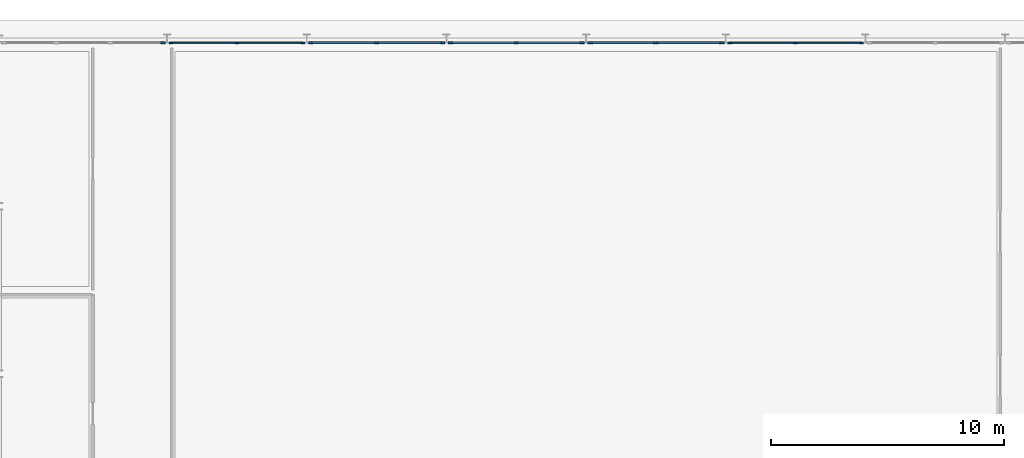
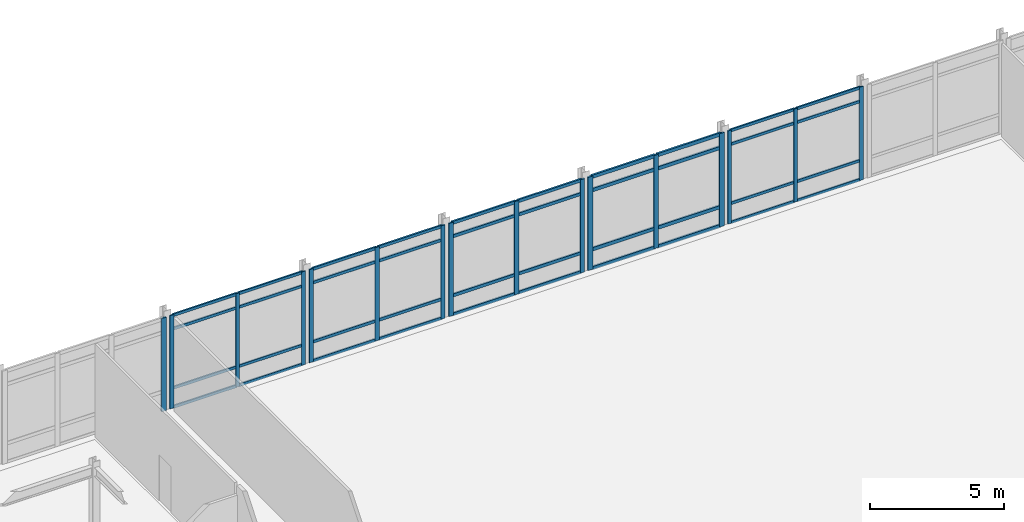
# One storey, part 20 of 58: 56 members, 6 elements without a shape of their own.
"""IFC4 building model written with IfcOpenShell, lengths in metres."""

from ifc_helpers import new_model, si_unit, direction, frame, origin, origin_2d, place, context, subcontext, project, spatial, rectangle, extrude, material, layer, layer_set, material_profile, profile_set, type_object, element, aggregate, save


model = new_model("IFC4")

# Units and contexts
model_context = context("Model", 3, precision=1e-05, world=origin(), true_north=direction((0.0, 1.0)))
body_context = subcontext(model_context, "Body", "Model", "MODEL_VIEW")
ifc_project = project(units=[si_unit("LENGTHUNIT", "METRE"), si_unit("AREAUNIT", "SQUARE_METRE"), si_unit("VOLUMEUNIT", "CUBIC_METRE"), si_unit("PLANEANGLEUNIT", "RADIAN"), si_unit("MASSUNIT", "GRAM", prefix="KILO")], contexts=[model_context])

# Site, building, storey
site_placement = place(None, origin())
site = spatial("IfcSite", under=ifc_project, at=site_placement, CompositionType="ELEMENT")
building_placement = place(site_placement, origin())
building = spatial("IfcBuilding", under=site, at=building_placement, Name="Brisavento Harbour Community Centre", CompositionType="ELEMENT")
storey_placement = place(building_placement, origin())
storey = spatial("IfcBuildingStorey", under=building, at=storey_placement, Name="L00", CompositionType="ELEMENT", Elevation=0.0)

# Curtain wall, members
ifc_material = material(Name="Marine-anodised aluminium AW-6063-T6", Category="aluminium")
ifc_layer_1 = layer(ifc_material, 0.179931640625, Name="Marine-anodised aluminium AW-6063-T6")
ifc_layer_set_1 = layer_set([ifc_layer_1], Name="Marine-anodised aluminium AW-6063-T6")
curtain_wall_type_1 = type_object("IfcCurtainWallType", Name="CW-SYS-09", PredefinedType="USERDEFINED", material=ifc_layer_set_1)
curtain_wall_1_placement = place(storey_placement, origin())
curtain_wall_1 = element("IfcCurtainWall", 1, at=curtain_wall_1_placement, inside=storey, type_object=curtain_wall_type_1, Name="L00 V4 unitised curtain wall 009", ObjectType="UNITISED CURTAIN WALL", PredefinedType="USERDEFINED")
ifc_material_profile_1 = material_profile(ifc_material, rectangle(XDim=0.06494140625, YDim=0.1650390625, at=origin_2d()), Name="Marine-anodised aluminium AW-6063-T6")
ifc_profile_set_1 = profile_set([ifc_material_profile_1], Name="Marine-anodised aluminium AW-6063-T6")
member_type_1 = type_object("IfcMemberType", Name="CWM-01", PredefinedType="MULLION", material=ifc_profile_set_1)
member_1_placement = place(storey_placement, frame((129.767578125, 115.02001953125, 0.0), z_axis=(0.0, 0.0, 1.0), x_axis=(0.0, 1.0, 0.0)))
member_1 = element("IfcMember", 2, at=member_1_placement, type_object=member_type_1, Name="CW-09 mullion 1", PredefinedType="MULLION", context=body_context, shape_type="SweptSolid", body=[
    extrude(rectangle(XDim=0.06494140625, YDim=0.1650390625, at=origin_2d()), origin(), (0.0, 0.0, 1.0), 4.239990234375),
])
member_2_placement = place(storey_placement, frame((132.60009765625, 115.02001953125, 0.0), z_axis=(0.0, 0.0, 1.0), x_axis=(0.0, 1.0, 0.0)))
member_2 = element("IfcMember", 3, at=member_2_placement, type_object=member_type_1, Name="CW-09 mullion 2", PredefinedType="MULLION", context=body_context, shape_type="SweptSolid", body=[
    extrude(rectangle(XDim=0.06494140625, YDim=0.1650390625, at=origin_2d()), origin(), (0.0, 0.0, 1.0), 4.239990234375),
])
member_3_placement = place(storey_placement, frame((135.4326171875, 115.02001953125, 0.0), z_axis=(0.0, 0.0, 1.0), x_axis=(0.0, 1.0, 0.0)))
member_3 = element("IfcMember", 4, at=member_3_placement, type_object=member_type_1, Name="CW-09 mullion 3", PredefinedType="MULLION", context=body_context, shape_type="SweptSolid", body=[
    extrude(rectangle(XDim=0.06494140625, YDim=0.1650390625, at=origin_2d()), origin(), (0.0, 0.0, 1.0), 4.239990234375),
])

ifc_layer_2 = layer(ifc_material, 0.179931640625, Name="Marine-anodised aluminium AW-6063-T6")
ifc_layer_set_2 = layer_set([ifc_layer_2], Name="Marine-anodised aluminium AW-6063-T6")
curtain_wall_type_2 = type_object("IfcCurtainWallType", Name="CW-SYS-13", PredefinedType="USERDEFINED", material=ifc_layer_set_2)
curtain_wall_2_placement = place(storey_placement, origin())
curtain_wall_2 = element("IfcCurtainWall", 5, at=curtain_wall_2_placement, inside=storey, type_object=curtain_wall_type_2, Name="L00 V4 unitised curtain wall 013", ObjectType="UNITISED CURTAIN WALL", PredefinedType="USERDEFINED")
member_4_placement = place(storey_placement, frame((153.767578125, 115.02001953125, 0.0), z_axis=(0.0, 0.0, 1.0), x_axis=(0.0, 1.0, 0.0)))
member_4 = element("IfcMember", 6, at=member_4_placement, type_object=member_type_1, Name="CW-13 mullion 1", PredefinedType="MULLION", context=body_context, shape_type="SweptSolid", body=[
    extrude(rectangle(XDim=0.06494140625, YDim=0.1650390625, at=origin_2d()), origin(), (0.0, 0.0, 1.0), 4.239990234375),
])
member_5_placement = place(storey_placement, frame((156.60009765625, 115.02001953125, 0.0), z_axis=(0.0, 0.0, 1.0), x_axis=(0.0, 1.0, 0.0)))
member_5 = element("IfcMember", 7, at=member_5_placement, type_object=member_type_1, Name="CW-13 mullion 2", PredefinedType="MULLION", context=body_context, shape_type="SweptSolid", body=[
    extrude(rectangle(XDim=0.06494140625, YDim=0.1650390625, at=origin_2d()), origin(), (0.0, 0.0, 1.0), 4.239990234375),
])
member_6_placement = place(storey_placement, frame((159.4326171875, 115.02001953125, 0.0), z_axis=(0.0, 0.0, 1.0), x_axis=(0.0, 1.0, 0.0)))
member_6 = element("IfcMember", 8, at=member_6_placement, type_object=member_type_1, Name="CW-13 mullion 3", PredefinedType="MULLION", context=body_context, shape_type="SweptSolid", body=[
    extrude(rectangle(XDim=0.06494140625, YDim=0.1650390625, at=origin_2d()), origin(), (0.0, 0.0, 1.0), 4.239990234375),
])

ifc_layer_3 = layer(ifc_material, 0.179931640625, Name="Marine-anodised aluminium AW-6063-T6")
ifc_layer_set_3 = layer_set([ifc_layer_3], Name="Marine-anodised aluminium AW-6063-T6")
curtain_wall_type_3 = type_object("IfcCurtainWallType", Name="CW-SYS-10", PredefinedType="USERDEFINED", material=ifc_layer_set_3)
curtain_wall_3_placement = place(storey_placement, origin())
curtain_wall_3 = element("IfcCurtainWall", 9, at=curtain_wall_3_placement, inside=storey, type_object=curtain_wall_type_3, Name="L00 V4 unitised curtain wall 010", ObjectType="UNITISED CURTAIN WALL", PredefinedType="USERDEFINED")
ifc_material_profile_2 = material_profile(ifc_material, rectangle(XDim=0.070068359375, YDim=0.179931640625, at=origin_2d()), Name="Marine-anodised aluminium AW-6063-T6")
ifc_profile_set_2 = profile_set([ifc_material_profile_2], Name="Marine-anodised aluminium AW-6063-T6")
member_type_2 = type_object("IfcMemberType", Name="CWM-02", PredefinedType="MULLION", material=ifc_profile_set_2)
member_7_placement = place(storey_placement, frame((135.77001953125, 115.02001953125, 0.0), z_axis=(0.0, 0.0, 1.0), x_axis=(0.0, 1.0, 0.0)))
member_7 = element("IfcMember", 10, at=member_7_placement, type_object=member_type_2, Name="CW-10 mullion 1", PredefinedType="MULLION", context=body_context, shape_type="SweptSolid", body=[
    extrude(rectangle(XDim=0.070068359375, YDim=0.179931640625, at=origin_2d()), origin(), (0.0, 0.0, 1.0), 4.239990234375),
])
member_8_placement = place(storey_placement, frame((138.60009765625, 115.02001953125, 0.0), z_axis=(0.0, 0.0, 1.0), x_axis=(0.0, 1.0, 0.0)))
member_8 = element("IfcMember", 11, at=member_8_placement, type_object=member_type_2, Name="CW-10 mullion 2", PredefinedType="MULLION", context=body_context, shape_type="SweptSolid", body=[
    extrude(rectangle(XDim=0.070068359375, YDim=0.179931640625, at=origin_2d()), origin(), (0.0, 0.0, 1.0), 4.239990234375),
])
member_9_placement = place(storey_placement, frame((141.429931640625, 115.02001953125, 0.0), z_axis=(0.0, 0.0, 1.0), x_axis=(0.0, 1.0, 0.0)))
member_9 = element("IfcMember", 12, at=member_9_placement, type_object=member_type_2, Name="CW-10 mullion 3", PredefinedType="MULLION", context=body_context, shape_type="SweptSolid", body=[
    extrude(rectangle(XDim=0.070068359375, YDim=0.179931640625, at=origin_2d()), origin(), (0.0, 0.0, 1.0), 4.239990234375),
])

ifc_layer_4 = layer(ifc_material, 0.179931640625, Name="Marine-anodised aluminium AW-6063-T6")
ifc_layer_set_4 = layer_set([ifc_layer_4], Name="Marine-anodised aluminium AW-6063-T6")
curtain_wall_type_4 = type_object("IfcCurtainWallType", Name="CW-SYS-11", PredefinedType="USERDEFINED", material=ifc_layer_set_4)
curtain_wall_4_placement = place(storey_placement, origin())
curtain_wall_4 = element("IfcCurtainWall", 13, at=curtain_wall_4_placement, inside=storey, type_object=curtain_wall_type_4, Name="L00 V4 unitised curtain wall 011", ObjectType="UNITISED CURTAIN WALL", PredefinedType="USERDEFINED")
ifc_material_profile_3 = material_profile(ifc_material, rectangle(XDim=0.074951171875, YDim=0.18994140625, at=origin_2d()), Name="Marine-anodised aluminium AW-6063-T6")
ifc_profile_set_3 = profile_set([ifc_material_profile_3], Name="Marine-anodised aluminium AW-6063-T6")
member_type_3 = type_object("IfcMemberType", Name="CWM-03", PredefinedType="MULLION", material=ifc_profile_set_3)
member_10_placement = place(storey_placement, frame((141.7724609375, 115.02001953125, 0.0), z_axis=(0.0, 0.0, 1.0), x_axis=(0.0, 1.0, 0.0)))
member_10 = element("IfcMember", 14, at=member_10_placement, type_object=member_type_3, Name="CW-11 mullion 1", PredefinedType="MULLION", context=body_context, shape_type="SweptSolid", body=[
    extrude(rectangle(XDim=0.074951171875, YDim=0.18994140625, at=origin_2d()), origin(), (0.0, 0.0, 1.0), 4.239990234375),
])
member_11_placement = place(storey_placement, frame((144.60009765625, 115.02001953125, 0.0), z_axis=(0.0, 0.0, 1.0), x_axis=(0.0, 1.0, 0.0)))
member_11 = element("IfcMember", 15, at=member_11_placement, type_object=member_type_3, Name="CW-11 mullion 2", PredefinedType="MULLION", context=body_context, shape_type="SweptSolid", body=[
    extrude(rectangle(XDim=0.074951171875, YDim=0.18994140625, at=origin_2d()), origin(), (0.0, 0.0, 1.0), 4.239990234375),
])
member_12_placement = place(storey_placement, frame((147.427490234375, 115.02001953125, 0.0), z_axis=(0.0, 0.0, 1.0), x_axis=(0.0, 1.0, 0.0)))
member_12 = element("IfcMember", 16, at=member_12_placement, type_object=member_type_3, Name="CW-11 mullion 3", PredefinedType="MULLION", context=body_context, shape_type="SweptSolid", body=[
    extrude(rectangle(XDim=0.074951171875, YDim=0.18994140625, at=origin_2d()), origin(), (0.0, 0.0, 1.0), 4.239990234375),
])

# Curtain wall, member
ifc_layer_5 = layer(ifc_material, 0.179931640625, Name="Marine-anodised aluminium AW-6063-T6")
ifc_layer_set_5 = layer_set([ifc_layer_5], Name="Marine-anodised aluminium AW-6063-T6")
curtain_wall_type_5 = type_object("IfcCurtainWallType", Name="CW-SYS-08", PredefinedType="USERDEFINED", material=ifc_layer_set_5)
curtain_wall_5_placement = place(storey_placement, origin())
curtain_wall_5 = element("IfcCurtainWall", 17, at=curtain_wall_5_placement, inside=storey, type_object=curtain_wall_type_5, Name="L00 V4 unitised curtain wall 008", ObjectType="UNITISED CURTAIN WALL", PredefinedType="USERDEFINED")
ifc_material_profile_4 = material_profile(ifc_material, rectangle(XDim=0.080078125, YDim=0.2099609375, at=origin_2d()), Name="Marine-anodised aluminium AW-6063-T6")
ifc_profile_set_4 = profile_set([ifc_material_profile_4], Name="Marine-anodised aluminium AW-6063-T6")
member_type_4 = type_object("IfcMemberType", Name="CWM-04", PredefinedType="MULLION", material=ifc_profile_set_4)
member_13_placement = place(storey_placement, frame((129.425048828125, 115.02001953125, 0.0), z_axis=(0.0, 0.0, 1.0), x_axis=(0.0, 1.0, 0.0)))
member_13 = element("IfcMember", 18, at=member_13_placement, type_object=member_type_4, Name="CW-08 mullion 4", PredefinedType="MULLION", context=body_context, shape_type="SweptSolid", body=[
    extrude(rectangle(XDim=0.080078125, YDim=0.2099609375, at=origin_2d()), origin(), (0.0, 0.0, 1.0), 4.239990234375),
])
aggregate(curtain_wall_5, [member_13])

# Curtain wall, members
ifc_layer_6 = layer(ifc_material, 0.179931640625, Name="Marine-anodised aluminium AW-6063-T6")
ifc_layer_set_6 = layer_set([ifc_layer_6], Name="Marine-anodised aluminium AW-6063-T6")
curtain_wall_type_6 = type_object("IfcCurtainWallType", Name="CW-SYS-12", PredefinedType="USERDEFINED", material=ifc_layer_set_6)
curtain_wall_6_placement = place(storey_placement, origin())
curtain_wall_6 = element("IfcCurtainWall", 19, at=curtain_wall_6_placement, inside=storey, type_object=curtain_wall_type_6, Name="L00 V4 unitised curtain wall 012", ObjectType="UNITISED CURTAIN WALL", PredefinedType="USERDEFINED")
member_14_placement = place(storey_placement, frame((147.77490234375, 115.02001953125, 0.0), z_axis=(0.0, 0.0, 1.0), x_axis=(0.0, 1.0, 0.0)))
member_14 = element("IfcMember", 20, at=member_14_placement, type_object=member_type_4, Name="CW-12 mullion 1", PredefinedType="MULLION", context=body_context, shape_type="SweptSolid", body=[
    extrude(rectangle(XDim=0.080078125, YDim=0.2099609375, at=origin_2d()), origin(), (0.0, 0.0, 1.0), 4.239990234375),
])
member_15_placement = place(storey_placement, frame((150.60009765625, 115.02001953125, 0.0), z_axis=(0.0, 0.0, 1.0), x_axis=(0.0, 1.0, 0.0)))
member_15 = element("IfcMember", 21, at=member_15_placement, type_object=member_type_4, Name="CW-12 mullion 2", PredefinedType="MULLION", context=body_context, shape_type="SweptSolid", body=[
    extrude(rectangle(XDim=0.080078125, YDim=0.2099609375, at=origin_2d()), origin(), (0.0, 0.0, 1.0), 4.239990234375),
])
member_16_placement = place(storey_placement, frame((153.425048828125, 115.02001953125, 0.0), z_axis=(0.0, 0.0, 1.0), x_axis=(0.0, 1.0, 0.0)))
member_16 = element("IfcMember", 22, at=member_16_placement, type_object=member_type_4, Name="CW-12 mullion 3", PredefinedType="MULLION", context=body_context, shape_type="SweptSolid", body=[
    extrude(rectangle(XDim=0.080078125, YDim=0.2099609375, at=origin_2d()), origin(), (0.0, 0.0, 1.0), 4.239990234375),
])

# Member
ifc_material_profile_5 = material_profile(ifc_material, rectangle(XDim=0.06494140625, YDim=0.125, at=origin_2d()), Name="Marine-anodised aluminium AW-6063-T6")
ifc_profile_set_5 = profile_set([ifc_material_profile_5], Name="Marine-anodised aluminium AW-6063-T6")
member_type_5 = type_object("IfcMemberType", Name="CWT-01", PredefinedType="USERDEFINED", material=ifc_profile_set_5)
member_17_placement = place(storey_placement, frame((129.800048828125, 115.02001953125, 0.032470703125), z_axis=(1.0, 0.0, 0.0), x_axis=(0.0, 1.0, 0.0)))
member_17 = element("IfcMember", 23, at=member_17_placement, type_object=member_type_5, Name="CW-09 transom 1.1", ObjectType="TRANSOM", PredefinedType="USERDEFINED", context=body_context, shape_type="SweptSolid", body=[
    extrude(rectangle(XDim=0.06494140625, YDim=0.125, at=origin_2d()), origin(), (0.0, 0.0, 1.0), 2.767333984375),
])

member_18_placement = place(storey_placement, frame((129.800048828125, 115.02001953125, 0.89990234375), z_axis=(1.0, 0.0, 0.0), x_axis=(0.0, 1.0, 0.0)))
member_18 = element("IfcMember", 24, at=member_18_placement, type_object=member_type_5, Name="CW-09 transom 1.2", ObjectType="TRANSOM", PredefinedType="USERDEFINED", context=body_context, shape_type="SweptSolid", body=[
    extrude(rectangle(XDim=0.06494140625, YDim=0.125, at=origin_2d()), origin(), (0.0, 0.0, 1.0), 2.767333984375),
])

member_19_placement = place(storey_placement, frame((129.800048828125, 115.02001953125, 3.590087890625), z_axis=(1.0, 0.0, 0.0), x_axis=(0.0, 1.0, 0.0)))
member_19 = element("IfcMember", 25, at=member_19_placement, type_object=member_type_5, Name="CW-09 transom 1.3", ObjectType="TRANSOM", PredefinedType="USERDEFINED", context=body_context, shape_type="SweptSolid", body=[
    extrude(rectangle(XDim=0.06494140625, YDim=0.125, at=origin_2d()), origin(), (0.0, 0.0, 1.0), 2.767333984375),
])

member_20_placement = place(storey_placement, frame((129.800048828125, 115.02001953125, 4.20751953125), z_axis=(1.0, 0.0, 0.0), x_axis=(0.0, 1.0, 0.0)))
member_20 = element("IfcMember", 26, at=member_20_placement, type_object=member_type_5, Name="CW-09 transom 1.4", ObjectType="TRANSOM", PredefinedType="USERDEFINED", context=body_context, shape_type="SweptSolid", body=[
    extrude(rectangle(XDim=0.06494140625, YDim=0.125, at=origin_2d()), origin(), (0.0, 0.0, 1.0), 2.767333984375),
])

member_21_placement = place(storey_placement, frame((132.632568359375, 115.02001953125, 0.032470703125), z_axis=(1.0, 0.0, 0.0), x_axis=(0.0, 1.0, 0.0)))
member_21 = element("IfcMember", 27, at=member_21_placement, type_object=member_type_5, Name="CW-09 transom 2.1", ObjectType="TRANSOM", PredefinedType="USERDEFINED", context=body_context, shape_type="SweptSolid", body=[
    extrude(rectangle(XDim=0.06494140625, YDim=0.125, at=origin_2d()), origin(), (0.0, 0.0, 1.0), 2.767333984375),
])

member_22_placement = place(storey_placement, frame((132.632568359375, 115.02001953125, 0.89990234375), z_axis=(1.0, 0.0, 0.0), x_axis=(0.0, 1.0, 0.0)))
member_22 = element("IfcMember", 28, at=member_22_placement, type_object=member_type_5, Name="CW-09 transom 2.2", ObjectType="TRANSOM", PredefinedType="USERDEFINED", context=body_context, shape_type="SweptSolid", body=[
    extrude(rectangle(XDim=0.06494140625, YDim=0.125, at=origin_2d()), origin(), (0.0, 0.0, 1.0), 2.767333984375),
])

member_23_placement = place(storey_placement, frame((132.632568359375, 115.02001953125, 3.590087890625), z_axis=(1.0, 0.0, 0.0), x_axis=(0.0, 1.0, 0.0)))
member_23 = element("IfcMember", 29, at=member_23_placement, type_object=member_type_5, Name="CW-09 transom 2.3", ObjectType="TRANSOM", PredefinedType="USERDEFINED", context=body_context, shape_type="SweptSolid", body=[
    extrude(rectangle(XDim=0.06494140625, YDim=0.125, at=origin_2d()), origin(), (0.0, 0.0, 1.0), 2.767333984375),
])

member_24_placement = place(storey_placement, frame((132.632568359375, 115.02001953125, 4.20751953125), z_axis=(1.0, 0.0, 0.0), x_axis=(0.0, 1.0, 0.0)))
member_24 = element("IfcMember", 30, at=member_24_placement, type_object=member_type_5, Name="CW-09 transom 2.4", ObjectType="TRANSOM", PredefinedType="USERDEFINED", context=body_context, shape_type="SweptSolid", body=[
    extrude(rectangle(XDim=0.06494140625, YDim=0.125, at=origin_2d()), origin(), (0.0, 0.0, 1.0), 2.767333984375),
])

aggregate(curtain_wall_1, [member_1, member_2, member_3, member_17, member_18, member_19, member_20, member_21, member_22, member_23, member_24])

member_25_placement = place(storey_placement, frame((153.800048828125, 115.02001953125, 0.032470703125), z_axis=(1.0, 0.0, 0.0), x_axis=(0.0, 1.0, 0.0)))
member_25 = element("IfcMember", 31, at=member_25_placement, type_object=member_type_5, Name="CW-13 transom 1.1", ObjectType="TRANSOM", PredefinedType="USERDEFINED", context=body_context, shape_type="SweptSolid", body=[
    extrude(rectangle(XDim=0.06494140625, YDim=0.125, at=origin_2d()), origin(), (0.0, 0.0, 1.0), 2.767333984375),
])

member_26_placement = place(storey_placement, frame((153.800048828125, 115.02001953125, 0.89990234375), z_axis=(1.0, 0.0, 0.0), x_axis=(0.0, 1.0, 0.0)))
member_26 = element("IfcMember", 32, at=member_26_placement, type_object=member_type_5, Name="CW-13 transom 1.2", ObjectType="TRANSOM", PredefinedType="USERDEFINED", context=body_context, shape_type="SweptSolid", body=[
    extrude(rectangle(XDim=0.06494140625, YDim=0.125, at=origin_2d()), origin(), (0.0, 0.0, 1.0), 2.767333984375),
])

member_27_placement = place(storey_placement, frame((153.800048828125, 115.02001953125, 3.590087890625), z_axis=(1.0, 0.0, 0.0), x_axis=(0.0, 1.0, 0.0)))
member_27 = element("IfcMember", 33, at=member_27_placement, type_object=member_type_5, Name="CW-13 transom 1.3", ObjectType="TRANSOM", PredefinedType="USERDEFINED", context=body_context, shape_type="SweptSolid", body=[
    extrude(rectangle(XDim=0.06494140625, YDim=0.125, at=origin_2d()), origin(), (0.0, 0.0, 1.0), 2.767333984375),
])

member_28_placement = place(storey_placement, frame((153.800048828125, 115.02001953125, 4.20751953125), z_axis=(1.0, 0.0, 0.0), x_axis=(0.0, 1.0, 0.0)))
member_28 = element("IfcMember", 34, at=member_28_placement, type_object=member_type_5, Name="CW-13 transom 1.4", ObjectType="TRANSOM", PredefinedType="USERDEFINED", context=body_context, shape_type="SweptSolid", body=[
    extrude(rectangle(XDim=0.06494140625, YDim=0.125, at=origin_2d()), origin(), (0.0, 0.0, 1.0), 2.767333984375),
])

member_29_placement = place(storey_placement, frame((156.632568359375, 115.02001953125, 0.032470703125), z_axis=(1.0, 0.0, 0.0), x_axis=(0.0, 1.0, 0.0)))
member_29 = element("IfcMember", 35, at=member_29_placement, type_object=member_type_5, Name="CW-13 transom 2.1", ObjectType="TRANSOM", PredefinedType="USERDEFINED", context=body_context, shape_type="SweptSolid", body=[
    extrude(rectangle(XDim=0.06494140625, YDim=0.125, at=origin_2d()), origin(), (0.0, 0.0, 1.0), 2.767333984375),
])

member_30_placement = place(storey_placement, frame((156.632568359375, 115.02001953125, 0.89990234375), z_axis=(1.0, 0.0, 0.0), x_axis=(0.0, 1.0, 0.0)))
member_30 = element("IfcMember", 36, at=member_30_placement, type_object=member_type_5, Name="CW-13 transom 2.2", ObjectType="TRANSOM", PredefinedType="USERDEFINED", context=body_context, shape_type="SweptSolid", body=[
    extrude(rectangle(XDim=0.06494140625, YDim=0.125, at=origin_2d()), origin(), (0.0, 0.0, 1.0), 2.767333984375),
])

member_31_placement = place(storey_placement, frame((156.632568359375, 115.02001953125, 3.590087890625), z_axis=(1.0, 0.0, 0.0), x_axis=(0.0, 1.0, 0.0)))
member_31 = element("IfcMember", 37, at=member_31_placement, type_object=member_type_5, Name="CW-13 transom 2.3", ObjectType="TRANSOM", PredefinedType="USERDEFINED", context=body_context, shape_type="SweptSolid", body=[
    extrude(rectangle(XDim=0.06494140625, YDim=0.125, at=origin_2d()), origin(), (0.0, 0.0, 1.0), 2.767333984375),
])

member_32_placement = place(storey_placement, frame((156.632568359375, 115.02001953125, 4.20751953125), z_axis=(1.0, 0.0, 0.0), x_axis=(0.0, 1.0, 0.0)))
member_32 = element("IfcMember", 38, at=member_32_placement, type_object=member_type_5, Name="CW-13 transom 2.4", ObjectType="TRANSOM", PredefinedType="USERDEFINED", context=body_context, shape_type="SweptSolid", body=[
    extrude(rectangle(XDim=0.06494140625, YDim=0.125, at=origin_2d()), origin(), (0.0, 0.0, 1.0), 2.767333984375),
])

aggregate(curtain_wall_2, [member_4, member_5, member_6, member_25, member_26, member_27, member_28, member_29, member_30, member_31, member_32])

ifc_material_profile_6 = material_profile(ifc_material, rectangle(XDim=0.070068359375, YDim=0.132080078125, at=origin_2d()), Name="Marine-anodised aluminium AW-6063-T6")
ifc_profile_set_6 = profile_set([ifc_material_profile_6], Name="Marine-anodised aluminium AW-6063-T6")
member_type_6 = type_object("IfcMemberType", Name="CWT-02", PredefinedType="USERDEFINED", material=ifc_profile_set_6)
member_33_placement = place(storey_placement, frame((135.804931640625, 115.02001953125, 0.034912109375), z_axis=(1.0, 0.0, 0.0), x_axis=(0.0, 1.0, 0.0)))
member_33 = element("IfcMember", 39, at=member_33_placement, type_object=member_type_6, Name="CW-10 transom 1.1", ObjectType="TRANSOM", PredefinedType="USERDEFINED", context=body_context, shape_type="SweptSolid", body=[
    extrude(rectangle(XDim=0.070068359375, YDim=0.132080078125, at=origin_2d()), origin(), (0.0, 0.0, 1.0), 2.760009765625),
])

member_34_placement = place(storey_placement, frame((135.804931640625, 115.02001953125, 0.89990234375), z_axis=(1.0, 0.0, 0.0), x_axis=(0.0, 1.0, 0.0)))
member_34 = element("IfcMember", 40, at=member_34_placement, type_object=member_type_6, Name="CW-10 transom 1.2", ObjectType="TRANSOM", PredefinedType="USERDEFINED", context=body_context, shape_type="SweptSolid", body=[
    extrude(rectangle(XDim=0.070068359375, YDim=0.132080078125, at=origin_2d()), origin(), (0.0, 0.0, 1.0), 2.760009765625),
])

member_35_placement = place(storey_placement, frame((135.804931640625, 115.02001953125, 3.590087890625), z_axis=(1.0, 0.0, 0.0), x_axis=(0.0, 1.0, 0.0)))
member_35 = element("IfcMember", 41, at=member_35_placement, type_object=member_type_6, Name="CW-10 transom 1.3", ObjectType="TRANSOM", PredefinedType="USERDEFINED", context=body_context, shape_type="SweptSolid", body=[
    extrude(rectangle(XDim=0.070068359375, YDim=0.132080078125, at=origin_2d()), origin(), (0.0, 0.0, 1.0), 2.760009765625),
])

member_36_placement = place(storey_placement, frame((135.804931640625, 115.02001953125, 4.205078125), z_axis=(1.0, 0.0, 0.0), x_axis=(0.0, 1.0, 0.0)))
member_36 = element("IfcMember", 42, at=member_36_placement, type_object=member_type_6, Name="CW-10 transom 1.4", ObjectType="TRANSOM", PredefinedType="USERDEFINED", context=body_context, shape_type="SweptSolid", body=[
    extrude(rectangle(XDim=0.070068359375, YDim=0.132080078125, at=origin_2d()), origin(), (0.0, 0.0, 1.0), 2.760009765625),
])

member_37_placement = place(storey_placement, frame((138.635009765625, 115.02001953125, 0.034912109375), z_axis=(1.0, 0.0, 0.0), x_axis=(0.0, 1.0, 0.0)))
member_37 = element("IfcMember", 43, at=member_37_placement, type_object=member_type_6, Name="CW-10 transom 2.1", ObjectType="TRANSOM", PredefinedType="USERDEFINED", context=body_context, shape_type="SweptSolid", body=[
    extrude(rectangle(XDim=0.070068359375, YDim=0.132080078125, at=origin_2d()), origin(), (0.0, 0.0, 1.0), 2.760009765625),
])

member_38_placement = place(storey_placement, frame((138.635009765625, 115.02001953125, 0.89990234375), z_axis=(1.0, 0.0, 0.0), x_axis=(0.0, 1.0, 0.0)))
member_38 = element("IfcMember", 44, at=member_38_placement, type_object=member_type_6, Name="CW-10 transom 2.2", ObjectType="TRANSOM", PredefinedType="USERDEFINED", context=body_context, shape_type="SweptSolid", body=[
    extrude(rectangle(XDim=0.070068359375, YDim=0.132080078125, at=origin_2d()), origin(), (0.0, 0.0, 1.0), 2.760009765625),
])

member_39_placement = place(storey_placement, frame((138.635009765625, 115.02001953125, 3.590087890625), z_axis=(1.0, 0.0, 0.0), x_axis=(0.0, 1.0, 0.0)))
member_39 = element("IfcMember", 45, at=member_39_placement, type_object=member_type_6, Name="CW-10 transom 2.3", ObjectType="TRANSOM", PredefinedType="USERDEFINED", context=body_context, shape_type="SweptSolid", body=[
    extrude(rectangle(XDim=0.070068359375, YDim=0.132080078125, at=origin_2d()), origin(), (0.0, 0.0, 1.0), 2.760009765625),
])

member_40_placement = place(storey_placement, frame((138.635009765625, 115.02001953125, 4.205078125), z_axis=(1.0, 0.0, 0.0), x_axis=(0.0, 1.0, 0.0)))
member_40 = element("IfcMember", 46, at=member_40_placement, type_object=member_type_6, Name="CW-10 transom 2.4", ObjectType="TRANSOM", PredefinedType="USERDEFINED", context=body_context, shape_type="SweptSolid", body=[
    extrude(rectangle(XDim=0.070068359375, YDim=0.132080078125, at=origin_2d()), origin(), (0.0, 0.0, 1.0), 2.760009765625),
])

aggregate(curtain_wall_3, [member_7, member_8, member_9, member_33, member_34, member_35, member_36, member_37, member_38, member_39, member_40])

ifc_material_profile_7 = material_profile(ifc_material, rectangle(XDim=0.074951171875, YDim=0.139892578125, at=origin_2d()), Name="Marine-anodised aluminium AW-6063-T6")
ifc_profile_set_7 = profile_set([ifc_material_profile_7], Name="Marine-anodised aluminium AW-6063-T6")
member_type_7 = type_object("IfcMemberType", Name="CWT-03", PredefinedType="USERDEFINED", material=ifc_profile_set_7)
member_41_placement = place(storey_placement, frame((141.81005859375, 115.02001953125, 0.03759765625), z_axis=(1.0, 0.0, 0.0), x_axis=(0.0, 1.0, 0.0)))
member_41 = element("IfcMember", 47, at=member_41_placement, type_object=member_type_7, Name="CW-11 transom 1.1", ObjectType="TRANSOM", PredefinedType="USERDEFINED", context=body_context, shape_type="SweptSolid", body=[
    extrude(rectangle(XDim=0.074951171875, YDim=0.139892578125, at=origin_2d()), origin(), (0.0, 0.0, 1.0), 2.75244140625),
])

member_42_placement = place(storey_placement, frame((141.81005859375, 115.02001953125, 0.89990234375), z_axis=(1.0, 0.0, 0.0), x_axis=(0.0, 1.0, 0.0)))
member_42 = element("IfcMember", 48, at=member_42_placement, type_object=member_type_7, Name="CW-11 transom 1.2", ObjectType="TRANSOM", PredefinedType="USERDEFINED", context=body_context, shape_type="SweptSolid", body=[
    extrude(rectangle(XDim=0.074951171875, YDim=0.139892578125, at=origin_2d()), origin(), (0.0, 0.0, 1.0), 2.75244140625),
])

member_43_placement = place(storey_placement, frame((141.81005859375, 115.02001953125, 3.590087890625), z_axis=(1.0, 0.0, 0.0), x_axis=(0.0, 1.0, 0.0)))
member_43 = element("IfcMember", 49, at=member_43_placement, type_object=member_type_7, Name="CW-11 transom 1.3", ObjectType="TRANSOM", PredefinedType="USERDEFINED", context=body_context, shape_type="SweptSolid", body=[
    extrude(rectangle(XDim=0.074951171875, YDim=0.139892578125, at=origin_2d()), origin(), (0.0, 0.0, 1.0), 2.75244140625),
])

member_44_placement = place(storey_placement, frame((141.81005859375, 115.02001953125, 4.202392578125), z_axis=(1.0, 0.0, 0.0), x_axis=(0.0, 1.0, 0.0)))
member_44 = element("IfcMember", 50, at=member_44_placement, type_object=member_type_7, Name="CW-11 transom 1.4", ObjectType="TRANSOM", PredefinedType="USERDEFINED", context=body_context, shape_type="SweptSolid", body=[
    extrude(rectangle(XDim=0.074951171875, YDim=0.139892578125, at=origin_2d()), origin(), (0.0, 0.0, 1.0), 2.75244140625),
])

member_45_placement = place(storey_placement, frame((144.637451171875, 115.02001953125, 0.03759765625), z_axis=(1.0, 0.0, 0.0), x_axis=(0.0, 1.0, 0.0)))
member_45 = element("IfcMember", 51, at=member_45_placement, type_object=member_type_7, Name="CW-11 transom 2.1", ObjectType="TRANSOM", PredefinedType="USERDEFINED", context=body_context, shape_type="SweptSolid", body=[
    extrude(rectangle(XDim=0.074951171875, YDim=0.139892578125, at=origin_2d()), origin(), (0.0, 0.0, 1.0), 2.75244140625),
])

member_46_placement = place(storey_placement, frame((144.637451171875, 115.02001953125, 0.89990234375), z_axis=(1.0, 0.0, 0.0), x_axis=(0.0, 1.0, 0.0)))
member_46 = element("IfcMember", 52, at=member_46_placement, type_object=member_type_7, Name="CW-11 transom 2.2", ObjectType="TRANSOM", PredefinedType="USERDEFINED", context=body_context, shape_type="SweptSolid", body=[
    extrude(rectangle(XDim=0.074951171875, YDim=0.139892578125, at=origin_2d()), origin(), (0.0, 0.0, 1.0), 2.75244140625),
])

member_47_placement = place(storey_placement, frame((144.637451171875, 115.02001953125, 3.590087890625), z_axis=(1.0, 0.0, 0.0), x_axis=(0.0, 1.0, 0.0)))
member_47 = element("IfcMember", 53, at=member_47_placement, type_object=member_type_7, Name="CW-11 transom 2.3", ObjectType="TRANSOM", PredefinedType="USERDEFINED", context=body_context, shape_type="SweptSolid", body=[
    extrude(rectangle(XDim=0.074951171875, YDim=0.139892578125, at=origin_2d()), origin(), (0.0, 0.0, 1.0), 2.75244140625),
])

member_48_placement = place(storey_placement, frame((144.637451171875, 115.02001953125, 4.202392578125), z_axis=(1.0, 0.0, 0.0), x_axis=(0.0, 1.0, 0.0)))
member_48 = element("IfcMember", 54, at=member_48_placement, type_object=member_type_7, Name="CW-11 transom 2.4", ObjectType="TRANSOM", PredefinedType="USERDEFINED", context=body_context, shape_type="SweptSolid", body=[
    extrude(rectangle(XDim=0.074951171875, YDim=0.139892578125, at=origin_2d()), origin(), (0.0, 0.0, 1.0), 2.75244140625),
])

aggregate(curtain_wall_4, [member_10, member_11, member_12, member_41, member_42, member_43, member_44, member_45, member_46, member_47, member_48])

ifc_material_profile_8 = material_profile(ifc_material, rectangle(XDim=0.080078125, YDim=0.155029296875, at=origin_2d()), Name="Marine-anodised aluminium AW-6063-T6")
ifc_profile_set_8 = profile_set([ifc_material_profile_8], Name="Marine-anodised aluminium AW-6063-T6")
member_type_8 = type_object("IfcMemberType", Name="CWT-04", PredefinedType="USERDEFINED", material=ifc_profile_set_8)
member_49_placement = place(storey_placement, frame((147.81494140625, 115.02001953125, 0.0400390625), z_axis=(1.0, 0.0, 0.0), x_axis=(0.0, 1.0, 0.0)))
member_49 = element("IfcMember", 55, at=member_49_placement, type_object=member_type_8, Name="CW-12 transom 1.1", ObjectType="TRANSOM", PredefinedType="USERDEFINED", context=body_context, shape_type="SweptSolid", body=[
    extrude(rectangle(XDim=0.080078125, YDim=0.155029296875, at=origin_2d()), origin(), (0.0, 0.0, 1.0), 2.7451171875),
])

member_50_placement = place(storey_placement, frame((147.81494140625, 115.02001953125, 0.89990234375), z_axis=(1.0, 0.0, 0.0), x_axis=(0.0, 1.0, 0.0)))
member_50 = element("IfcMember", 56, at=member_50_placement, type_object=member_type_8, Name="CW-12 transom 1.2", ObjectType="TRANSOM", PredefinedType="USERDEFINED", context=body_context, shape_type="SweptSolid", body=[
    extrude(rectangle(XDim=0.080078125, YDim=0.155029296875, at=origin_2d()), origin(), (0.0, 0.0, 1.0), 2.7451171875),
])

member_51_placement = place(storey_placement, frame((147.81494140625, 115.02001953125, 3.590087890625), z_axis=(1.0, 0.0, 0.0), x_axis=(0.0, 1.0, 0.0)))
member_51 = element("IfcMember", 57, at=member_51_placement, type_object=member_type_8, Name="CW-12 transom 1.3", ObjectType="TRANSOM", PredefinedType="USERDEFINED", context=body_context, shape_type="SweptSolid", body=[
    extrude(rectangle(XDim=0.080078125, YDim=0.155029296875, at=origin_2d()), origin(), (0.0, 0.0, 1.0), 2.7451171875),
])

member_52_placement = place(storey_placement, frame((147.81494140625, 115.02001953125, 4.199951171875), z_axis=(1.0, 0.0, 0.0), x_axis=(0.0, 1.0, 0.0)))
member_52 = element("IfcMember", 58, at=member_52_placement, type_object=member_type_8, Name="CW-12 transom 1.4", ObjectType="TRANSOM", PredefinedType="USERDEFINED", context=body_context, shape_type="SweptSolid", body=[
    extrude(rectangle(XDim=0.080078125, YDim=0.155029296875, at=origin_2d()), origin(), (0.0, 0.0, 1.0), 2.7451171875),
])

member_53_placement = place(storey_placement, frame((150.639892578125, 115.02001953125, 0.0400390625), z_axis=(1.0, 0.0, 0.0), x_axis=(0.0, 1.0, 0.0)))
member_53 = element("IfcMember", 59, at=member_53_placement, type_object=member_type_8, Name="CW-12 transom 2.1", ObjectType="TRANSOM", PredefinedType="USERDEFINED", context=body_context, shape_type="SweptSolid", body=[
    extrude(rectangle(XDim=0.080078125, YDim=0.155029296875, at=origin_2d()), origin(), (0.0, 0.0, 1.0), 2.7451171875),
])

member_54_placement = place(storey_placement, frame((150.639892578125, 115.02001953125, 0.89990234375), z_axis=(1.0, 0.0, 0.0), x_axis=(0.0, 1.0, 0.0)))
member_54 = element("IfcMember", 60, at=member_54_placement, type_object=member_type_8, Name="CW-12 transom 2.2", ObjectType="TRANSOM", PredefinedType="USERDEFINED", context=body_context, shape_type="SweptSolid", body=[
    extrude(rectangle(XDim=0.080078125, YDim=0.155029296875, at=origin_2d()), origin(), (0.0, 0.0, 1.0), 2.7451171875),
])

member_55_placement = place(storey_placement, frame((150.639892578125, 115.02001953125, 3.590087890625), z_axis=(1.0, 0.0, 0.0), x_axis=(0.0, 1.0, 0.0)))
member_55 = element("IfcMember", 61, at=member_55_placement, type_object=member_type_8, Name="CW-12 transom 2.3", ObjectType="TRANSOM", PredefinedType="USERDEFINED", context=body_context, shape_type="SweptSolid", body=[
    extrude(rectangle(XDim=0.080078125, YDim=0.155029296875, at=origin_2d()), origin(), (0.0, 0.0, 1.0), 2.7451171875),
])

member_56_placement = place(storey_placement, frame((150.639892578125, 115.02001953125, 4.199951171875), z_axis=(1.0, 0.0, 0.0), x_axis=(0.0, 1.0, 0.0)))
member_56 = element("IfcMember", 62, at=member_56_placement, type_object=member_type_8, Name="CW-12 transom 2.4", ObjectType="TRANSOM", PredefinedType="USERDEFINED", context=body_context, shape_type="SweptSolid", body=[
    extrude(rectangle(XDim=0.080078125, YDim=0.155029296875, at=origin_2d()), origin(), (0.0, 0.0, 1.0), 2.7451171875),
])

aggregate(curtain_wall_6, [member_14, member_15, member_16, member_49, member_50, member_51, member_52, member_53, member_54, member_55, member_56])

save(model, "model.ifc")
